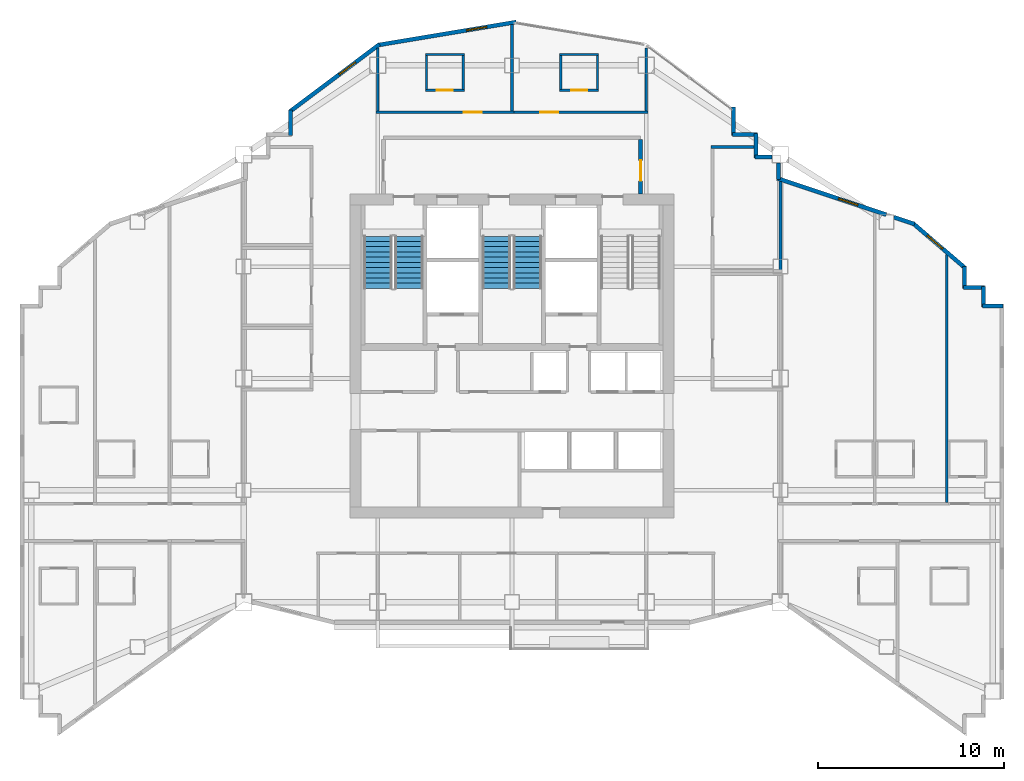
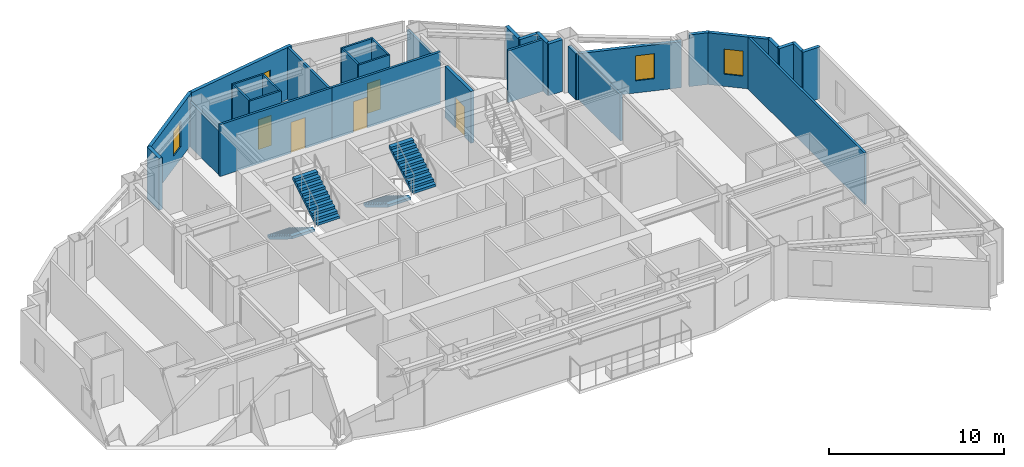
# One storey, part 9 of 11: 32 walls, 5 doors, 4 stair flights, 4 windows, 9 openings, 2 elements without a shape of their own.
"""IFC4 building model written with IfcOpenShell, lengths in metres."""

from ifc_helpers import new_model, si_unit, direction, frame, frame_2d, origin, place, context, subcontext, project, spatial, polyline, rectangle, outline, extrude, material, layer, layer_set, type_object, element, fill, aggregate, save


model = new_model("IFC4")

# Units and contexts
model_context = context("Model", 3, precision=1e-05, world=origin(), true_north=direction((0.0, 1.0)))
body_context = subcontext(model_context, "Body", "Model", "MODEL_VIEW")
ifc_project = project(units=[si_unit("LENGTHUNIT", "METRE"), si_unit("AREAUNIT", "SQUARE_METRE"), si_unit("VOLUMEUNIT", "CUBIC_METRE"), si_unit("PLANEANGLEUNIT", "RADIAN"), si_unit("MASSUNIT", "GRAM", prefix="KILO")], contexts=[model_context])

# Site, building, storey
site_placement = place(None, origin())
site = spatial("IfcSite", under=ifc_project, at=site_placement, CompositionType="ELEMENT")
building_placement = place(site_placement, origin())
building = spatial("IfcBuilding", under=site, at=building_placement, Name="Haolan Belvedere Tower", CompositionType="ELEMENT")
storey_placement = place(building_placement, frame((0.0, 0.0, 211.60009765625)))
storey = spatial("IfcBuildingStorey", under=building, at=storey_placement, Name="L53", CompositionType="ELEMENT", Elevation=211.60009765625)

# Walls
ifc_material_1 = material(Name="Precast concrete C40/50", Category="concrete")
ifc_layer_1 = layer(ifc_material_1, 0.219970703125, Name="Precast concrete C40/50")
ifc_layer_set_1 = layer_set([ifc_layer_1], Name="Precast concrete C40/50")
wall_type_1 = type_object("IfcWallType", Name="WL-EXT-220", PredefinedType="SOLIDWALL", material=ifc_layer_set_1)
wall_1_placement = place(storey_placement, frame((64.7451171875, 37.489990234375, 0.0), z_axis=(0.0, 0.0, 1.0), x_axis=(-1.0, 0.0, 0.0)))
element("IfcWall", 1, at=wall_1_placement, inside=storey, type_object=wall_type_1, Name="L53 pale-metal exterior spandrel wall 9.1", PredefinedType="SOLIDWALL", context=body_context, shape_type="SweptSolid", body=[
    extrude(rectangle(XDim=1.110107421875, YDim=0.219970703125, at=frame_2d((0.55517578125, 0.0))), origin(), (0.0, 0.0, 1.0), 3.619873046875),
])
wall_2_placement = place(storey_placement, frame((63.68994140625, 37.43505859375, 0.0), z_axis=(0.0, 0.0, 1.0), x_axis=(0.0, 1.0, 0.0)))
element("IfcWall", 2, at=wall_2_placement, inside=storey, type_object=wall_type_1, Name="L53 pale-metal exterior spandrel wall 10.1", PredefinedType="SOLIDWALL", context=body_context, shape_type="SweptSolid", body=[
    extrude(rectangle(XDim=1.10986328125, YDim=0.219970703125, at=frame_2d((0.554931640625, 0.0))), origin(), (0.0, 0.0, 1.0), 3.619873046875),
])
wall_3_placement = place(storey_placement, frame((63.7451171875, 38.489990234375, 0.0), z_axis=(0.0, 0.0, 1.0), x_axis=(-1.0, 0.0, 0.0)))
element("IfcWall", 3, at=wall_3_placement, inside=storey, type_object=wall_type_1, Name="L53 pale-metal exterior spandrel wall 11.1", PredefinedType="SOLIDWALL", context=body_context, shape_type="SweptSolid", body=[
    extrude(rectangle(XDim=1.110107421875, YDim=0.219970703125, at=frame_2d((0.55517578125, 0.0))), origin(), (0.0, 0.0, 1.0), 3.619873046875),
])
wall_4_placement = place(storey_placement, frame((62.68994140625, 38.43505859375, 0.0), z_axis=(0.0, 0.0, 1.0), x_axis=(0.0, 1.0, 0.0)))
element("IfcWall", 4, at=wall_4_placement, inside=storey, type_object=wall_type_1, Name="L53 pale-metal exterior spandrel wall 12.1", PredefinedType="SOLIDWALL", context=body_context, shape_type="SweptSolid", body=[
    extrude(rectangle(XDim=1.16943359375, YDim=0.219970703125, at=frame_2d((0.584716796875, 0.0))), origin(), (0.0, 0.0, 1.0), 3.619873046875),
])

# Wall, opening, window
wall_5_placement = place(storey_placement, frame((62.731689453125, 39.513671875, 0.0), z_axis=(0.0, 0.0, 1.0), x_axis=(-0.759251976569, 0.65079677018, 0.0)))
wall_5 = element("IfcWall", 5, at=wall_5_placement, inside=storey, type_object=wall_type_1, Name="L53 pale-metal exterior spandrel wall 13.1", PredefinedType="SOLIDWALL", context=body_context, shape_type="SweptSolid", body=[
    extrude(rectangle(XDim=3.7255859375, YDim=0.219970703125, at=frame_2d((1.86279296875, 0.0))), origin(), (0.0, 0.0, 1.0), 3.619873046875),
])
opening_1_placement = place(wall_5_placement, frame((1.60009765625, 0.0, 0.85009765625)))
opening_1 = element("IfcOpeningElement", 6, at=opening_1_placement, cuts=wall_5, Name="Opening W-03", PredefinedType="OPENING", context=body_context, shape_type="SweptSolid", body=[
    extrude(rectangle(XDim=1.10009765625, YDim=1.75, at=frame_2d((0.550048828125, 0.875))), frame((0.0, 0.119873046875, 0.0), z_axis=(0.0, -1.0, 0.0), x_axis=(1.0, 0.0, 0.0)), (0.0, 0.0, 1.0), 0.239990234375),
])
ifc_material_2 = material(Name="Anodised aluminium 6063-T6 and Low-E glass", Category="aluminium")
window_type = type_object("IfcWindowType", Name="WN-DECO-Z3", PartitioningType="SINGLE_PANEL", PredefinedType="WINDOW", material=ifc_material_2)
window_1_placement = place(opening_1_placement, origin())
window_1 = element("IfcWindow", 7, at=window_1_placement, inside=storey, type_object=window_type, Name="L53 Art Deco chevron window 1", OverallHeight=1.75, OverallWidth=1.10009765625, PartitioningType="SINGLE_PANEL", PredefinedType="WINDOW", context=body_context, shape_type="SweptSolid", body=[
    extrude(rectangle(XDim=1.10009765625, YDim=1.75, at=frame_2d((0.550048828125, 0.875))), frame((0.0, 0.030029296875, 0.0), z_axis=(0.0, -1.0, 0.0), x_axis=(1.0, 0.0, 0.0)), (0.0, 0.0, 1.0), 0.06005859375),
])
fill(opening_1, window_1)

# Wall
wall_6_placement = place(storey_placement, frame((59.9970703125, 41.885009765625, 0.0), z_axis=(0.0, 0.0, 1.0), x_axis=(-0.948662335685, 0.316290646166, 0.0)))
element("IfcWall", 8, at=wall_6_placement, inside=storey, type_object=wall_type_1, Name="L53 pale-metal exterior spandrel wall 14.1", PredefinedType="SOLIDWALL", context=body_context, shape_type="SweptSolid", body=[
    extrude(rectangle(XDim=1.164794921875, YDim=0.219970703125, at=frame_2d((0.58251953125, 0.0))), origin(), (0.0, 0.0, 1.0), 3.619873046875),
])

# Wall, opening, window
wall_7_placement = place(storey_placement, frame((58.476318359375, 42.39208984375, 0.0), z_axis=(0.0, 0.0, 1.0), x_axis=(-0.948691231611, 0.316203964339, 0.0)))
wall_7 = element("IfcWall", 9, at=wall_7_placement, inside=storey, type_object=wall_type_1, Name="L53 pale-metal exterior spandrel wall 14.2", PredefinedType="SOLIDWALL", context=body_context, shape_type="SweptSolid", body=[
    extrude(rectangle(XDim=6.154296875, YDim=0.219970703125, at=frame_2d((3.0771484375, 0.0))), origin(), (0.0, 0.0, 1.0), 3.21484375),
])
opening_2_placement = place(wall_7_placement, frame((1.60009765625, 0.0, 0.85009765625)))
opening_2 = element("IfcOpeningElement", 10, at=opening_2_placement, cuts=wall_7, Name="Opening W-03", PredefinedType="OPENING", context=body_context, shape_type="SweptSolid", body=[
    extrude(rectangle(XDim=1.10009765625, YDim=1.75, at=frame_2d((0.550048828125, 0.875))), frame((0.0, 0.119873046875, 0.0), z_axis=(0.0, -1.0, 0.0), x_axis=(1.0, 0.0, 0.0)), (0.0, 0.0, 1.0), 0.239990234375),
])
window_2_placement = place(opening_2_placement, origin())
window_2 = element("IfcWindow", 11, at=window_2_placement, inside=storey, type_object=window_type, Name="L53 Art Deco chevron window 1", OverallHeight=1.75, OverallWidth=1.10009765625, PartitioningType="SINGLE_PANEL", PredefinedType="WINDOW", context=body_context, shape_type="SweptSolid", body=[
    extrude(rectangle(XDim=1.10009765625, YDim=1.75, at=frame_2d((0.550048828125, 0.875))), frame((0.0, 0.030029296875, 0.0), z_axis=(0.0, -1.0, 0.0), x_axis=(1.0, 0.0, 0.0)), (0.0, 0.0, 1.0), 0.06005859375),
])
fill(opening_2, window_2)

# Walls
wall_8_placement = place(storey_placement, frame((52.68994140625, 44.265625, 0.0), z_axis=(0.0, 0.0, 1.0), x_axis=(0.0, 1.0, 0.0)))
element("IfcWall", 12, at=wall_8_placement, inside=storey, type_object=wall_type_1, Name="L53 pale-metal exterior spandrel wall 15.1", PredefinedType="SOLIDWALL", context=body_context, shape_type="SweptSolid", body=[
    extrude(rectangle(XDim=0.892333984375, YDim=0.219970703125, at=frame_2d((0.4462890625, 0.0))), origin(), (0.0, 0.0, 1.0), 3.21484375),
])
wall_9_placement = place(storey_placement, frame((52.35791015625, 45.489990234375, 0.0), z_axis=(0.0, 0.0, 1.0), x_axis=(-1.0, 0.0, 0.0)))
element("IfcWall", 13, at=wall_9_placement, inside=storey, type_object=wall_type_1, Name="L53 pale-metal exterior spandrel wall 16.1", PredefinedType="SOLIDWALL", context=body_context, shape_type="SweptSolid", body=[
    extrude(rectangle(XDim=0.9228515625, YDim=0.219970703125, at=frame_2d((0.46142578125, 0.0))), origin(), (0.0, 0.0, 1.0), 3.619873046875),
])
wall_10_placement = place(storey_placement, frame((51.489990234375, 45.43505859375, 0.0), z_axis=(0.0, 0.0, 1.0), x_axis=(0.0, 1.0, 0.0)))
element("IfcWall", 14, at=wall_10_placement, inside=storey, type_object=wall_type_1, Name="L53 pale-metal exterior spandrel wall 17.1", PredefinedType="SOLIDWALL", context=body_context, shape_type="SweptSolid", body=[
    extrude(rectangle(XDim=1.31005859375, YDim=0.219970703125, at=frame_2d((0.655029296875, 0.0))), origin(), (0.0, 0.0, 1.0), 3.619873046875),
])
wall_11_placement = place(storey_placement, frame((51.544921875, 46.68994140625, 0.0), z_axis=(0.0, 0.0, 1.0), x_axis=(-1.0, 0.0, 0.0)))
element("IfcWall", 15, at=wall_11_placement, inside=storey, type_object=wall_type_1, Name="L53 pale-metal exterior spandrel wall 18.1", PredefinedType="SOLIDWALL", context=body_context, shape_type="SweptSolid", body=[
    extrude(rectangle(XDim=1.309814453125, YDim=0.219970703125, at=frame_2d((0.65478515625, 0.0))), origin(), (0.0, 0.0, 1.0), 3.619873046875),
])
wall_12_placement = place(storey_placement, frame((50.2900390625, 46.635009765625, 0.0), z_axis=(0.0, 0.0, 1.0), x_axis=(0.0, 1.0, 0.0)))
element("IfcWall", 16, at=wall_12_placement, inside=storey, type_object=wall_type_1, Name="L53 pale-metal exterior spandrel wall 19.1", PredefinedType="SOLIDWALL", context=body_context, shape_type="SweptSolid", body=[
    extrude(rectangle(XDim=1.534912109375, YDim=0.219970703125, at=frame_2d((0.767578125, 0.0))), origin(), (0.0, 0.0, 1.0), 3.619873046875),
])

# Wall, opening, window
wall_13_placement = place(storey_placement, frame((38.621826171875, 52.7255859375, 0.0), z_axis=(0.0, 0.0, 1.0), x_axis=(-0.986390420428, -0.164420006349, 0.0)))
wall_13 = element("IfcWall", 17, at=wall_13_placement, inside=storey, type_object=wall_type_1, Name="L53 pale-metal exterior spandrel wall 22.1", PredefinedType="SOLIDWALL", context=body_context, shape_type="SweptSolid", body=[
    extrude(rectangle(XDim=7.5341796875, YDim=0.219970703125, at=frame_2d((3.76708984375, 0.0))), origin(), (0.0, 0.0, 1.0), 3.619873046875),
])
opening_3_placement = place(wall_13_placement, frame((1.60009765625, 0.0, 0.85009765625)))
opening_3 = element("IfcOpeningElement", 18, at=opening_3_placement, cuts=wall_13, Name="Opening W-03", PredefinedType="OPENING", context=body_context, shape_type="SweptSolid", body=[
    extrude(rectangle(XDim=1.10009765625, YDim=1.75, at=frame_2d((0.550048828125, 0.875))), frame((0.0, 0.119873046875, 0.0), z_axis=(0.0, -1.0, 0.0), x_axis=(1.0, 0.0, 0.0)), (0.0, 0.0, 1.0), 0.239990234375),
])
window_3_placement = place(opening_3_placement, origin())
window_3 = element("IfcWindow", 19, at=window_3_placement, inside=storey, type_object=window_type, Name="L53 Art Deco chevron window 1", OverallHeight=1.75, OverallWidth=1.10009765625, PartitioningType="SINGLE_PANEL", PredefinedType="WINDOW", context=body_context, shape_type="SweptSolid", body=[
    extrude(rectangle(XDim=1.10009765625, YDim=1.75, at=frame_2d((0.550048828125, 0.875))), frame((0.0, 0.030029296875, 0.0), z_axis=(0.0, -1.0, 0.0), x_axis=(1.0, 0.0, 0.0)), (0.0, 0.0, 1.0), 0.06005859375),
])
fill(opening_3, window_3)

wall_14_placement = place(storey_placement, frame((31.28857421875, 51.52880859375, 0.0), z_axis=(0.0, 0.0, 1.0), x_axis=(-0.800014580093, -0.599980559383, 0.0)))
wall_14 = element("IfcWall", 20, at=wall_14_placement, inside=storey, type_object=wall_type_1, Name="L53 pale-metal exterior spandrel wall 23.1", PredefinedType="SOLIDWALL", context=body_context, shape_type="SweptSolid", body=[
    extrude(rectangle(XDim=6.028076171875, YDim=0.219970703125, at=frame_2d((3.01416015625, 0.0))), origin(), (0.0, 0.0, 1.0), 3.619873046875),
])
opening_4_placement = place(wall_14_placement, frame((1.60009765625, 0.0, 0.85009765625)))
opening_4 = element("IfcOpeningElement", 21, at=opening_4_placement, cuts=wall_14, Name="Opening W-03", PredefinedType="OPENING", context=body_context, shape_type="SweptSolid", body=[
    extrude(rectangle(XDim=1.10009765625, YDim=1.75, at=frame_2d((0.550048828125, 0.875))), frame((0.0, 0.119873046875, 0.0), z_axis=(0.0, -1.0, 0.0), x_axis=(1.0, 0.0, 0.0)), (0.0, 0.0, 1.0), 0.239990234375),
])
window_4_placement = place(opening_4_placement, origin())
window_4 = element("IfcWindow", 22, at=window_4_placement, inside=storey, type_object=window_type, Name="L53 Art Deco chevron window 1", OverallHeight=1.75, OverallWidth=1.10009765625, PartitioningType="SINGLE_PANEL", PredefinedType="WINDOW", context=body_context, shape_type="SweptSolid", body=[
    extrude(rectangle(XDim=1.10009765625, YDim=1.75, at=frame_2d((0.550048828125, 0.875))), frame((0.0, 0.030029296875, 0.0), z_axis=(0.0, -1.0, 0.0), x_axis=(1.0, 0.0, 0.0)), (0.0, 0.0, 1.0), 0.06005859375),
])
fill(opening_4, window_4)

# Wall
wall_15_placement = place(storey_placement, frame((26.510009765625, 48.0, 0.0), z_axis=(0.0, 0.0, 1.0), x_axis=(0.0, -1.0, 0.0)))
element("IfcWall", 23, at=wall_15_placement, inside=storey, type_object=wall_type_1, Name="L53 pale-metal exterior spandrel wall 24.1", PredefinedType="SOLIDWALL", context=body_context, shape_type="SweptSolid", body=[
    extrude(rectangle(XDim=1.364990234375, YDim=0.219970703125, at=frame_2d((0.6826171875, 0.0))), origin(), (0.0, 0.0, 1.0), 3.619873046875),
])

# Wall, opening, door
ifc_material_3 = material(Name="Concrete C40/50", Category="concrete")
ifc_layer_2 = layer(ifc_material_3, 0.199951171875, Name="Concrete C40/50")
ifc_layer_set_2 = layer_set([ifc_layer_2], Name="Concrete C40/50")
wall_type_2 = type_object("IfcWallType", Name="WL-FIRE-200", PredefinedType="SOLIDWALL", material=ifc_layer_set_2)
wall_16_placement = place(storey_placement, frame((45.300048828125, 43.5, 0.0), z_axis=(0.0, 0.0, 1.0), x_axis=(0.0, 1.0, 0.0)))
wall_16 = element("IfcWall", 24, at=wall_16_placement, inside=storey, type_object=wall_type_2, Name="L53 interior partition IW-L53-FFL-E", PredefinedType="SOLIDWALL", context=body_context, shape_type="SweptSolid", body=[
    extrude(rectangle(XDim=2.93505859375, YDim=0.199951171875, at=frame_2d((1.467529296875, 0.0))), origin(), (0.0, 0.0, 1.0), 3.619873046875),
])
opening_5_placement = place(wall_16_placement, frame((0.699951171875, 0.0, 0.0)))
opening_5 = element("IfcOpeningElement", 25, at=opening_5_placement, cuts=wall_16, Name="Opening FD-03", PredefinedType="OPENING", context=body_context, shape_type="SweptSolid", body=[
    extrude(rectangle(XDim=1.10009765625, YDim=2.14990234375, at=frame_2d((0.550048828125, 1.074951171875))), frame((0.0, 0.10986328125, 0.0), z_axis=(0.0, -1.0, 0.0), x_axis=(1.0, 0.0, 0.0)), (0.0, 0.0, 1.0), 0.219970703125),
])
ifc_material_4 = material(Name="Galvanised fire-rated steel", Category="steel")
door_type_1 = type_object("IfcDoorType", Name="DR-FD90-1100", OperationType="NOTDEFINED", PredefinedType="DOOR", material=ifc_material_4)
door_1_placement = place(opening_5_placement, origin())
door_1 = element("IfcDoor", 26, at=door_1_placement, inside=storey, type_object=door_type_1, Name="L53 door ID-L53-FFL-DE", OperationType="SINGLE_SWING_RIGHT", OverallHeight=2.14990234375, OverallWidth=1.10009765625, PredefinedType="DOOR", context=body_context, shape_type="SweptSolid", body=[
    extrude(rectangle(XDim=1.10009765625, YDim=2.14990234375, at=frame_2d((0.550048828125, 1.074951171875))), frame((0.0, 0.02490234375, 0.0), z_axis=(0.0, -1.0, 0.0), x_axis=(1.0, 0.0, 0.0)), (0.0, 0.0, 1.0), 0.050048828125),
])
fill(opening_5, door_1)

# Walls
ifc_material_5 = material(Name="Double gypsum acoustic stud partition", Category="masonry")
ifc_layer_3 = layer(ifc_material_5, 0.14990234375, Name="Double gypsum acoustic stud partition")
ifc_layer_set_3 = layer_set([ifc_layer_3], Name="Double gypsum acoustic stud partition")
wall_type_3 = type_object("IfcWallType", Name="WL-PART-150", PredefinedType="PARTITIONING", material=ifc_layer_set_3)
wall_17_placement = place(storey_placement, frame((49.080078125, 46.02001953125, 0.0), z_axis=(0.0, 0.0, 1.0), x_axis=(1.0, 0.0, 0.0)))
element("IfcWall", 27, at=wall_17_placement, inside=storey, type_object=wall_type_3, Name="L53 interior partition IW-L53-MTG-N", PredefinedType="PARTITIONING", context=body_context, shape_type="SweptSolid", body=[
    extrude(rectangle(XDim=2.307861328125, YDim=0.14990234375, at=frame_2d((1.15380859375, 0.0))), origin(), (0.0, 0.0, 1.0), 3.619873046875),
])
wall_18_placement = place(storey_placement, frame((52.800048828125, 39.419921875, 0.0), z_axis=(0.0, 0.0, 1.0), x_axis=(0.0, 1.0, 0.0)))
element("IfcWall", 28, at=wall_18_placement, inside=storey, type_object=wall_type_3, Name="L53 interior partition IW-L53-MTG-E", PredefinedType="PARTITIONING", context=body_context, shape_type="SweptSolid", body=[
    extrude(rectangle(XDim=4.756591796875, YDim=0.14990234375, at=frame_2d((2.37841796875, 0.0))), origin(), (0.0, 0.0, 1.0), 3.21484375),
])

# Wall, opening, door
wall_19_placement = place(storey_placement, frame((31.10009765625, 47.8798828125, 0.0), z_axis=(0.0, 0.0, 1.0), x_axis=(1.0, 0.0, 0.0)))
wall_19 = element("IfcWall", 29, at=wall_19_placement, inside=storey, type_object=wall_type_3, Name="L53 interior partition IW-L53-KN2-S", PredefinedType="PARTITIONING", context=body_context, shape_type="SweptSolid", body=[
    extrude(rectangle(XDim=7.39990234375, YDim=0.14990234375, at=frame_2d((3.699951171875, 0.0))), origin(), (0.0, 0.0, 1.0), 3.619873046875),
])
opening_6_placement = place(wall_19_placement, frame((4.713623046875, 0.0, 0.0)))
opening_6 = element("IfcOpeningElement", 30, at=opening_6_placement, cuts=wall_19, Name="Opening ID-02", PredefinedType="OPENING", context=body_context, shape_type="SweptSolid", body=[
    extrude(rectangle(XDim=0.949951171875, YDim=2.14990234375, at=frame_2d((0.47509765625, 1.074951171875))), frame((0.0, 0.0849609375, 0.0), z_axis=(0.0, -1.0, 0.0), x_axis=(1.0, 0.0, 0.0)), (0.0, 0.0, 1.0), 0.169921875),
])
ifc_material_6 = material(Name="Acoustic oak veneer fire-rated timber", Category="wood")
door_type_2 = type_object("IfcDoorType", Name="DR-GUEST-950", OperationType="NOTDEFINED", PredefinedType="DOOR", material=ifc_material_6)
door_2_placement = place(opening_6_placement, origin())
door_2 = element("IfcDoor", 31, at=door_2_placement, inside=storey, type_object=door_type_2, Name="L53 door ID-L53-KN2-ENT", OperationType="SINGLE_SWING_LEFT", OverallHeight=2.14990234375, OverallWidth=0.949951171875, PredefinedType="DOOR", context=body_context, shape_type="SweptSolid", body=[
    extrude(rectangle(XDim=0.949951171875, YDim=2.14990234375, at=frame_2d((0.47509765625, 1.074951171875))), frame((0.0, 0.02490234375, 0.0), z_axis=(0.0, -1.0, 0.0), x_axis=(1.0, 0.0, 0.0)), (0.0, 0.0, 1.0), 0.050048828125),
])
fill(opening_6, door_2)

# Walls
wall_20_placement = place(storey_placement, frame((31.199951171875, 47.93994140625, 0.0), z_axis=(0.0, 0.0, 1.0), x_axis=(0.0, 1.0, 0.0)))
element("IfcWall", 32, at=wall_20_placement, inside=storey, type_object=wall_type_3, Name="L53 interior partition IW-L53-KN2-W", PredefinedType="PARTITIONING", context=body_context, shape_type="SweptSolid", body=[
    extrude(rectangle(XDim=3.39501953125, YDim=0.14990234375, at=frame_2d((1.697509765625, 0.0))), origin(), (0.0, 0.0, 1.0), 3.10498046875),
])
wall_21_placement = place(storey_placement, frame((38.39990234375, 47.93994140625, 0.0), z_axis=(0.0, 0.0, 1.0), x_axis=(0.0, 1.0, 0.0)))
element("IfcWall", 33, at=wall_21_placement, inside=storey, type_object=wall_type_3, Name="L53 interior partition IW-L53-KN2-E", PredefinedType="PARTITIONING", context=body_context, shape_type="SweptSolid", body=[
    extrude(rectangle(XDim=4.645263671875, YDim=0.14990234375, at=frame_2d((2.32275390625, 0.0))), origin(), (0.0, 0.0, 1.0), 3.619873046875),
])

# Wall, opening, door
wall_22_placement = place(storey_placement, frame((38.501953125, 47.8798828125, 0.0), z_axis=(0.0, 0.0, 1.0), x_axis=(1.0, 0.0, 0.0)))
wall_22 = element("IfcWall", 34, at=wall_22_placement, inside=storey, type_object=wall_type_3, Name="L53 interior partition IW-L53-KN3-S", PredefinedType="PARTITIONING", context=body_context, shape_type="SweptSolid", body=[
    extrude(rectangle(XDim=7.197998046875, YDim=0.14990234375, at=frame_2d((3.59912109375, 0.0))), origin(), (0.0, 0.0, 1.0), 3.619873046875),
])
opening_7_placement = place(wall_22_placement, frame((1.41748046875, 0.0, 0.0)))
opening_7 = element("IfcOpeningElement", 35, at=opening_7_placement, cuts=wall_22, Name="Opening ID-02", PredefinedType="OPENING", context=body_context, shape_type="SweptSolid", body=[
    extrude(rectangle(XDim=0.949951171875, YDim=2.14990234375, at=frame_2d((0.47509765625, 1.074951171875))), frame((0.0, 0.0849609375, 0.0), z_axis=(0.0, -1.0, 0.0), x_axis=(1.0, 0.0, 0.0)), (0.0, 0.0, 1.0), 0.169921875),
])
door_3_placement = place(opening_7_placement, origin())
door_3 = element("IfcDoor", 36, at=door_3_placement, inside=storey, type_object=door_type_2, Name="L53 door ID-L53-KN3-ENT", OperationType="SINGLE_SWING_RIGHT", OverallHeight=2.14990234375, OverallWidth=0.949951171875, PredefinedType="DOOR", context=body_context, shape_type="SweptSolid", body=[
    extrude(rectangle(XDim=0.949951171875, YDim=2.14990234375, at=frame_2d((0.47509765625, 1.074951171875))), frame((0.0, 0.02490234375, 0.0), z_axis=(0.0, -1.0, 0.0), x_axis=(1.0, 0.0, 0.0)), (0.0, 0.0, 1.0), 0.050048828125),
])
fill(opening_7, door_3)

# Walls
wall_23_placement = place(storey_placement, frame((45.60009765625, 47.93994140625, 0.0), z_axis=(0.0, 0.0, 1.0), x_axis=(0.0, 1.0, 0.0)))
element("IfcWall", 37, at=wall_23_placement, inside=storey, type_object=wall_type_3, Name="L53 interior partition IW-L53-KN3-E", PredefinedType="PARTITIONING", context=body_context, shape_type="SweptSolid", body=[
    extrude(rectangle(XDim=3.39501953125, YDim=0.14990234375, at=frame_2d((1.697509765625, 0.0))), origin(), (0.0, 0.0, 1.0), 3.10498046875),
])
wall_24_placement = place(storey_placement, frame((61.72998046875, 26.93994140625, 0.0), z_axis=(0.0, 0.0, 1.0), x_axis=(0.0, 1.0, 0.0)))
element("IfcWall", 38, at=wall_24_placement, inside=storey, type_object=wall_type_3, Name="L53 interior partition IW-L53-T4N2-E", PredefinedType="PARTITIONING", context=body_context, shape_type="SweptSolid", body=[
    extrude(rectangle(XDim=13.2978515625, YDim=0.14990234375, at=frame_2d((6.64892578125, 0.0))), origin(), (0.0, 0.0, 1.0), 3.619873046875),
])
ifc_material_7 = material(Name="Moisture-resistant gypsum tile partition", Category="masonry")
ifc_layer_4 = layer(ifc_material_7, 0.1201171875, Name="Moisture-resistant gypsum tile partition")
ifc_layer_set_4 = layer_set([ifc_layer_4], Name="Moisture-resistant gypsum tile partition")
wall_type_4 = type_object("IfcWallType", Name="WL-WET-120", PredefinedType="PARTITIONING", material=ifc_layer_set_4)
wall_25_placement = place(storey_placement, frame((33.75, 50.97998046875, 0.0), z_axis=(0.0, 0.0, 1.0), x_axis=(1.0, 0.0, 0.0)))
element("IfcWall", 39, at=wall_25_placement, inside=storey, type_object=wall_type_4, Name="L53 interior partition IW-L53-KN2-BN", PredefinedType="PARTITIONING", context=body_context, shape_type="SweptSolid", body=[
    extrude(rectangle(XDim=2.10009765625, YDim=0.1201171875, at=frame_2d((1.050048828125, 0.0))), origin(), (0.0, 0.0, 1.0), 3.619873046875),
])

# Wall, opening, door
wall_26_placement = place(storey_placement, frame((33.75, 49.06005859375, 0.0), z_axis=(0.0, 0.0, 1.0), x_axis=(1.0, 0.0, 0.0)))
wall_26 = element("IfcWall", 40, at=wall_26_placement, inside=storey, type_object=wall_type_4, Name="L53 interior partition IW-L53-KN2-BS", PredefinedType="PARTITIONING", context=body_context, shape_type="SweptSolid", body=[
    extrude(rectangle(XDim=2.10009765625, YDim=0.1201171875, at=frame_2d((1.050048828125, 0.0))), origin(), (0.0, 0.0, 1.0), 3.619873046875),
])
opening_8_placement = place(wall_26_placement, frame((0.625, 0.0, 0.0)))
opening_8 = element("IfcOpeningElement", 41, at=opening_8_placement, cuts=wall_26, Name="Opening ID-05", PredefinedType="OPENING", context=body_context, shape_type="SweptSolid", body=[
    extrude(rectangle(XDim=0.85009765625, YDim=2.10009765625, at=frame_2d((0.425048828125, 1.050048828125))), frame((0.0, 0.070068359375, 0.0), z_axis=(0.0, -1.0, 0.0), x_axis=(1.0, 0.0, 0.0)), (0.0, 0.0, 1.0), 0.14013671875),
])
ifc_material_8 = material(Name="Moisture-resistant lacquered timber", Category="wood")
door_type_3 = type_object("IfcDoorType", Name="DR-BATH-850", OperationType="NOTDEFINED", PredefinedType="DOOR", material=ifc_material_8)
door_4_placement = place(opening_8_placement, origin())
door_4 = element("IfcDoor", 42, at=door_4_placement, inside=storey, type_object=door_type_3, Name="L53 door ID-L53-KN2-BATH", OperationType="SINGLE_SWING_RIGHT", OverallHeight=2.10009765625, OverallWidth=0.85009765625, PredefinedType="DOOR", context=body_context, shape_type="SweptSolid", body=[
    extrude(rectangle(XDim=0.85009765625, YDim=2.10009765625, at=frame_2d((0.425048828125, 1.050048828125))), frame((0.0, 0.02490234375, 0.0), z_axis=(0.0, -1.0, 0.0), x_axis=(1.0, 0.0, 0.0)), (0.0, 0.0, 1.0), 0.050048828125),
])
fill(opening_8, door_4)

# Walls
for number, where, z_axis, x_axis, name in (
    (43, (33.81005859375, 49.10498046875, 0.0), (0.0, 0.0, 1.0), (0.0, 1.0, 0.0), "L53 interior partition IW-L53-KN2-BW"),
    (44, (35.7900390625, 49.10498046875, 0.0), (0.0, 0.0, 1.0), (0.0, 1.0, 0.0), "L53 interior partition IW-L53-KN2-BE"),
):
    element("IfcWall", number, at=place(storey_placement, frame(where, z_axis=z_axis, x_axis=x_axis)), inside=storey, type_object=wall_type_4, Name=name, PredefinedType="PARTITIONING", context=body_context, shape_type="SweptSolid", body=[
        extrude(rectangle(XDim=1.830078125, YDim=0.1201171875, at=frame_2d((0.9150390625, 0.0))), origin(), (0.0, 0.0, 1.0), 3.619873046875),
    ])
wall_27_placement = place(storey_placement, frame((40.949951171875, 50.97998046875, 0.0), z_axis=(0.0, 0.0, 1.0), x_axis=(1.0, 0.0, 0.0)))
element("IfcWall", 45, at=wall_27_placement, inside=storey, type_object=wall_type_4, Name="L53 interior partition IW-L53-KN3-BN", PredefinedType="PARTITIONING", context=body_context, shape_type="SweptSolid", body=[
    extrude(rectangle(XDim=2.10009765625, YDim=0.1201171875, at=frame_2d((1.050048828125, 0.0))), origin(), (0.0, 0.0, 1.0), 3.619873046875),
])

# Wall, opening, door
wall_28_placement = place(storey_placement, frame((40.949951171875, 49.06005859375, 0.0), z_axis=(0.0, 0.0, 1.0), x_axis=(1.0, 0.0, 0.0)))
wall_28 = element("IfcWall", 46, at=wall_28_placement, inside=storey, type_object=wall_type_4, Name="L53 interior partition IW-L53-KN3-BS", PredefinedType="PARTITIONING", context=body_context, shape_type="SweptSolid", body=[
    extrude(rectangle(XDim=2.10009765625, YDim=0.1201171875, at=frame_2d((1.050048828125, 0.0))), origin(), (0.0, 0.0, 1.0), 3.619873046875),
])
opening_9_placement = place(wall_28_placement, frame((0.625, 0.0, 0.0)))
opening_9 = element("IfcOpeningElement", 47, at=opening_9_placement, cuts=wall_28, Name="Opening ID-05", PredefinedType="OPENING", context=body_context, shape_type="SweptSolid", body=[
    extrude(rectangle(XDim=0.85009765625, YDim=2.10009765625, at=frame_2d((0.425048828125, 1.050048828125))), frame((0.0, 0.070068359375, 0.0), z_axis=(0.0, -1.0, 0.0), x_axis=(1.0, 0.0, 0.0)), (0.0, 0.0, 1.0), 0.14013671875),
])
door_5_placement = place(opening_9_placement, origin())
door_5 = element("IfcDoor", 48, at=door_5_placement, inside=storey, type_object=door_type_3, Name="L53 door ID-L53-KN3-BATH", OperationType="SINGLE_SWING_LEFT", OverallHeight=2.10009765625, OverallWidth=0.85009765625, PredefinedType="DOOR", context=body_context, shape_type="SweptSolid", body=[
    extrude(rectangle(XDim=0.85009765625, YDim=2.10009765625, at=frame_2d((0.425048828125, 1.050048828125))), frame((0.0, 0.02490234375, 0.0), z_axis=(0.0, -1.0, 0.0), x_axis=(1.0, 0.0, 0.0)), (0.0, 0.0, 1.0), 0.050048828125),
])
fill(opening_9, door_5)

# Walls
for number, where, z_axis, x_axis, name in (
    (49, (41.010009765625, 49.10498046875, 0.0), (0.0, 0.0, 1.0), (0.0, 1.0, 0.0), "L53 interior partition IW-L53-KN3-BW"),
    (50, (42.989990234375, 49.10498046875, 0.0), (0.0, 0.0, 1.0), (0.0, 1.0, 0.0), "L53 interior partition IW-L53-KN3-BE"),
):
    element("IfcWall", number, at=place(storey_placement, frame(where, z_axis=z_axis, x_axis=x_axis)), inside=storey, type_object=wall_type_4, Name=name, PredefinedType="PARTITIONING", context=body_context, shape_type="SweptSolid", body=[
        extrude(rectangle(XDim=1.830078125, YDim=0.1201171875, at=frame_2d((0.9150390625, 0.0))), origin(), (0.0, 0.0, 1.0), 3.619873046875),
    ])

# Stair, stair flights
stair_type = type_object("IfcStairType", Name="STR-DL-22R-173", PredefinedType="HALF_TURN_STAIR", material=ifc_material_3)
stair_1_placement = place(storey_placement, origin())
stair_1 = element("IfcStair", 51, at=stair_1_placement, inside=storey, type_object=stair_type, Name="L53 Smokeproof Core Exit Stair ST1", PredefinedType="HALF_TURN_STAIR")
stair_flight_type = type_object("IfcStairFlightType", Name="SFL-DL-11R-173", PredefinedType="STRAIGHT", material=ifc_material_3)
stair_flight_1_placement = place(storey_placement, frame((31.2099609375, 41.22998046875, 0.0), z_axis=(0.0, 0.0, 1.0), x_axis=(0.0, -1.0, 0.0)))
stair_flight_1 = element("IfcStairFlight", 52, at=stair_flight_1_placement, type_object=stair_flight_type, Name="ST1 flight 1", NumberOfRisers=11, NumberOfTreads=10, PredefinedType="STRAIGHT", RiserHeight=0.172727273, TreadLength=0.28, context=body_context, shape_type="SweptSolid", body=[
    extrude(outline(polyline([(0.0, 0.0), (0.0, 0.172607421875), (0.280029296875, 0.172607421875), (0.280029296875, 0.345458984375), (0.56005859375, 0.345458984375), (0.56005859375, 0.51806640625), (0.840087890625, 0.51806640625), (0.840087890625, 0.69091796875), (1.1201171875, 0.69091796875), (1.1201171875, 0.863525390625), (1.39990234375, 0.863525390625), (1.39990234375, 1.036376953125), (1.679931640625, 1.036376953125), (1.679931640625, 1.208984375), (1.9599609375, 1.208984375), (1.9599609375, 1.3818359375), (2.239990234375, 1.3818359375), (2.239990234375, 1.554443359375), (2.52001953125, 1.554443359375), (2.52001953125, 1.727294921875), (2.800048828125, 1.727294921875), (2.800048828125, 1.89990234375), (2.800048828125, 1.551025390625), (0.285400390625, 0.0), (0.0, 0.0)])), frame((0.0, 0.760009765625, 0.0), z_axis=(0.0, -1.0, 0.0), x_axis=(1.0, 0.0, 0.0)), (0.0, 0.0, 1.0), 1.52001953125),
])
stair_flight_2_placement = place(storey_placement, frame((32.8701171875, 38.429931640625, 1.89990234375), z_axis=(0.0, 0.0, 1.0), x_axis=(0.0, 1.0, 0.0)))
stair_flight_2 = element("IfcStairFlight", 53, at=stair_flight_2_placement, type_object=stair_flight_type, Name="ST1 flight 2", NumberOfRisers=11, NumberOfTreads=10, PredefinedType="STRAIGHT", RiserHeight=0.172727273, TreadLength=0.28, context=body_context, shape_type="SweptSolid", body=[
    extrude(outline(polyline([(0.0, 0.0), (0.0, 0.172607421875), (0.280029296875, 0.172607421875), (0.280029296875, 0.345458984375), (0.56005859375, 0.345458984375), (0.56005859375, 0.51806640625), (0.840087890625, 0.51806640625), (0.840087890625, 0.69091796875), (1.1201171875, 0.69091796875), (1.1201171875, 0.863525390625), (1.39990234375, 0.863525390625), (1.39990234375, 1.036376953125), (1.679931640625, 1.036376953125), (1.679931640625, 1.208984375), (1.9599609375, 1.208984375), (1.9599609375, 1.3818359375), (2.239990234375, 1.3818359375), (2.239990234375, 1.554443359375), (2.52001953125, 1.554443359375), (2.52001953125, 1.727294921875), (2.800048828125, 1.727294921875), (2.800048828125, 1.89990234375), (2.800048828125, 1.551025390625), (0.285400390625, 0.0), (0.0, 0.0)])), frame((0.0, 0.760009765625, 0.0), z_axis=(0.0, -1.0, 0.0), x_axis=(1.0, 0.0, 0.0)), (0.0, 0.0, 1.0), 1.52001953125),
])
aggregate(stair_1, [stair_flight_1, stair_flight_2])

stair_2_placement = place(storey_placement, origin())
stair_2 = element("IfcStair", 54, at=stair_2_placement, inside=storey, type_object=stair_type, Name="L53 Smokeproof Core Exit Stair ST3", PredefinedType="HALF_TURN_STAIR")
stair_flight_3_placement = place(storey_placement, frame((37.570068359375, 41.22998046875, 0.0), z_axis=(0.0, 0.0, 1.0), x_axis=(0.0, -1.0, 0.0)))
stair_flight_3 = element("IfcStairFlight", 55, at=stair_flight_3_placement, type_object=stair_flight_type, Name="ST3 flight 1", NumberOfRisers=11, NumberOfTreads=10, PredefinedType="STRAIGHT", RiserHeight=0.172727273, TreadLength=0.28, context=body_context, shape_type="SweptSolid", body=[
    extrude(outline(polyline([(0.0, 0.0), (0.0, 0.172607421875), (0.280029296875, 0.172607421875), (0.280029296875, 0.345458984375), (0.56005859375, 0.345458984375), (0.56005859375, 0.51806640625), (0.840087890625, 0.51806640625), (0.840087890625, 0.69091796875), (1.1201171875, 0.69091796875), (1.1201171875, 0.863525390625), (1.39990234375, 0.863525390625), (1.39990234375, 1.036376953125), (1.679931640625, 1.036376953125), (1.679931640625, 1.208984375), (1.9599609375, 1.208984375), (1.9599609375, 1.3818359375), (2.239990234375, 1.3818359375), (2.239990234375, 1.554443359375), (2.52001953125, 1.554443359375), (2.52001953125, 1.727294921875), (2.800048828125, 1.727294921875), (2.800048828125, 1.89990234375), (2.800048828125, 1.551025390625), (0.285400390625, 0.0), (0.0, 0.0)])), frame((0.0, 0.760009765625, 0.0), z_axis=(0.0, -1.0, 0.0), x_axis=(1.0, 0.0, 0.0)), (0.0, 0.0, 1.0), 1.52001953125),
])
stair_flight_4_placement = place(storey_placement, frame((39.22998046875, 38.429931640625, 1.89990234375), z_axis=(0.0, 0.0, 1.0), x_axis=(0.0, 1.0, 0.0)))
stair_flight_4 = element("IfcStairFlight", 56, at=stair_flight_4_placement, type_object=stair_flight_type, Name="ST3 flight 2", NumberOfRisers=11, NumberOfTreads=10, PredefinedType="STRAIGHT", RiserHeight=0.172727273, TreadLength=0.28, context=body_context, shape_type="SweptSolid", body=[
    extrude(outline(polyline([(0.0, 0.0), (0.0, 0.172607421875), (0.280029296875, 0.172607421875), (0.280029296875, 0.345458984375), (0.56005859375, 0.345458984375), (0.56005859375, 0.51806640625), (0.840087890625, 0.51806640625), (0.840087890625, 0.69091796875), (1.1201171875, 0.69091796875), (1.1201171875, 0.863525390625), (1.39990234375, 0.863525390625), (1.39990234375, 1.036376953125), (1.679931640625, 1.036376953125), (1.679931640625, 1.208984375), (1.9599609375, 1.208984375), (1.9599609375, 1.3818359375), (2.239990234375, 1.3818359375), (2.239990234375, 1.554443359375), (2.52001953125, 1.554443359375), (2.52001953125, 1.727294921875), (2.800048828125, 1.727294921875), (2.800048828125, 1.89990234375), (2.800048828125, 1.551025390625), (0.285400390625, 0.0), (0.0, 0.0)])), frame((0.0, 0.760009765625, 0.0), z_axis=(0.0, -1.0, 0.0), x_axis=(1.0, 0.0, 0.0)), (0.0, 0.0, 1.0), 1.52001953125),
])
aggregate(stair_2, [stair_flight_3, stair_flight_4])

save(model, "model.ifc")
